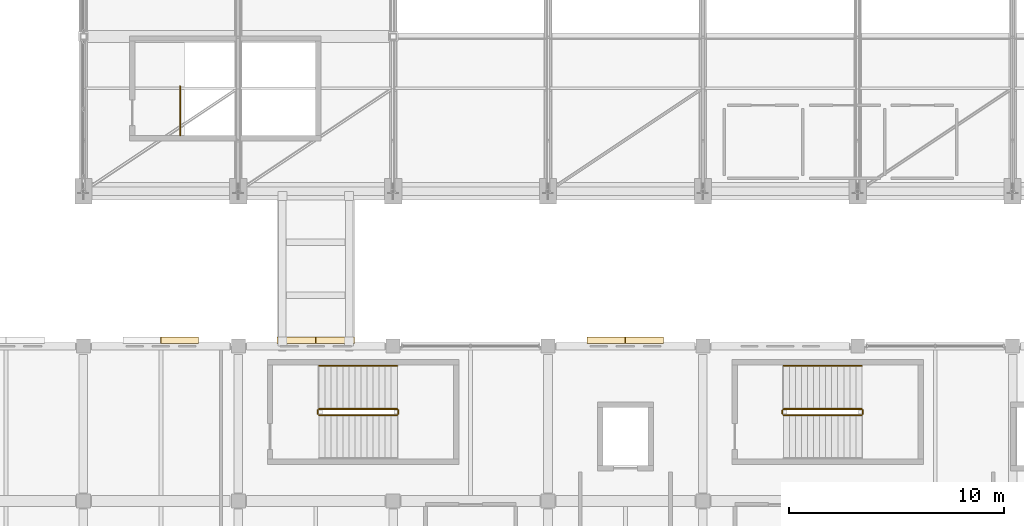
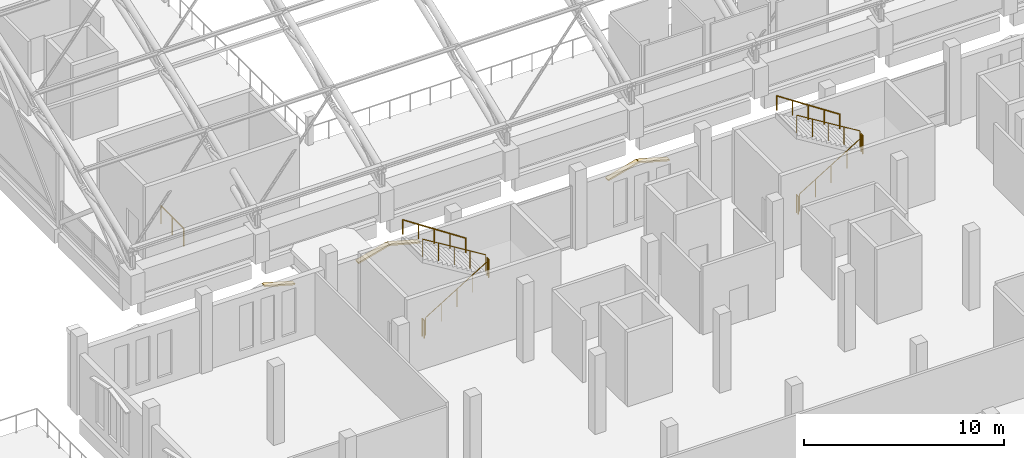
# One storey, part 112 of 116: 11 railings, 5 coverings.
"""IFC4 building model written with IfcOpenShell, lengths in metres."""

from ifc_helpers import new_model, si_unit, direction, frame, origin, origin_2d, place, context, subcontext, project, spatial, polyline, circle, outline, extrude, material, layer, layer_set, type_object, element, save


model = new_model("IFC4")

# Units and contexts
model_context = context("Model", 3, precision=1e-05, world=origin(), true_north=direction((0.0, 1.0)))
body_context = subcontext(model_context, "Body", "Model", "MODEL_VIEW")
ifc_project = project(units=[si_unit("LENGTHUNIT", "METRE"), si_unit("AREAUNIT", "SQUARE_METRE"), si_unit("VOLUMEUNIT", "CUBIC_METRE"), si_unit("PLANEANGLEUNIT", "RADIAN"), si_unit("MASSUNIT", "GRAM", prefix="KILO")], contexts=[model_context])

# Site, building, storey
site_placement = place(None, origin())
site = spatial("IfcSite", under=ifc_project, at=site_placement, CompositionType="ELEMENT")
building_placement = place(site_placement, origin())
building = spatial("IfcBuilding", under=site, at=building_placement, Name="Cendralis Lancet Convention Centre", CompositionType="ELEMENT")
storey_placement = place(building_placement, frame((0.0, 0.0, 15.0)))
storey = spatial("IfcBuildingStorey", under=building, at=storey_placement, Name="L03", CompositionType="ELEMENT", Elevation=15.0)

# Coverings
ifc_material_1 = material(Name="Warm buff sandstone chevron cassette", Category="masonry")
ifc_layer = layer(ifc_material_1, 0.06005859375, Name="Warm buff sandstone chevron cassette")
ifc_layer_set = layer_set([ifc_layer], Name="Warm buff sandstone chevron cassette")
covering_type = type_object("IfcCoveringType", Name="ARC-CV-CLAD1", PredefinedType="CLADDING", material=ifc_layer_set)
covering_1_placement = place(storey_placement, frame((142.81005859375, 36.419921875, 3.7548828125), z_axis=(0.267005870064, 0.0, 0.963694902628), x_axis=(0.0, -1.0, 0.0)))
element("IfcCovering", 1, at=covering_1_placement, inside=storey, type_object=covering_type, Name="L03 Gothic Pointed Lancet Hood-Mould #0378R", PredefinedType="CLADDING", context=body_context, shape_type="SweptSolid", body=[
    extrude(outline(polyline([(0.0, 0.0), (0.284912109375, 0.0), (0.284912109375, 1.8159274218714019), (0.0, 1.8159274218714019), (0.0, 0.0)])), origin(), (0.0, 0.0, -1.0), 0.090087890625),
])
for number, where, z_axis, x_axis, name in (
    (2, (148.199951171875, 36.419921875, 3.27001953125), (-0.261446137658, 0.0, 0.965218067125), (0.0, -1.0, 0.0), "L03 Gothic Pointed Lancet Hood-Mould #0379L"),
    (3, (150.010009765625, 36.419921875, 3.7548828125), (0.261446137658, 0.0, 0.965218067125), (0.0, -1.0, 0.0), "L03 Gothic Pointed Lancet Hood-Mould #0380R"),
):
    element("IfcCovering", number, at=place(storey_placement, frame(where, z_axis=z_axis, x_axis=x_axis)), inside=storey, type_object=covering_type, Name=name, PredefinedType="CLADDING", context=body_context, shape_type="SweptSolid", body=[
        extrude(outline(polyline([(0.0, 0.0), (0.284912109375, 0.0), (0.284912109375, 1.854543676158746), (0.0, 1.854543676158746), (0.0, 0.0)])), origin(), (0.0, 0.0, -1.0), 0.090087890625),
    ])
covering_2_placement = place(storey_placement, frame((162.6201171875, 36.419921875, 3.27001953125), z_axis=(-0.264231756452, 0.0, 0.964459215769), x_axis=(0.0, -1.0, 0.0)))
element("IfcCovering", 4, at=covering_2_placement, inside=storey, type_object=covering_type, Name="L03 Gothic Pointed Lancet Hood-Mould #0381L", PredefinedType="CLADDING", context=body_context, shape_type="SweptSolid", body=[
    extrude(outline(polyline([(0.0, 0.0), (0.284912109375, 0.0), (0.284912109375, 1.8349924617737228), (0.0, 1.8349924617737228), (0.0, 0.0)])), origin(), (0.0, 0.0, -1.0), 0.090087890625),
])
covering_3_placement = place(storey_placement, frame((164.409912109375, 36.419921875, 3.7548828125), z_axis=(0.264197854788, 0.0, 0.964468503128), x_axis=(0.0, -1.0, 0.0)))
element("IfcCovering", 5, at=covering_3_placement, inside=storey, type_object=covering_type, Name="L03 Gothic Pointed Lancet Hood-Mould #0382R", PredefinedType="CLADDING", context=body_context, shape_type="SweptSolid", body=[
    extrude(outline(polyline([(0.0, 0.0), (0.284912109375, 0.0), (0.284912109375, 1.8352279265832314), (0.0, 1.8352279265832314), (0.0, 0.0)])), origin(), (0.0, 0.0, -1.0), 0.090087890625),
])

# Railings
ifc_material_2 = material(Name="Steel S355", Category="steel")
railing_type_1 = type_object("IfcRailingType", Name="ARC-RL-CGD", PredefinedType="GUARDRAIL", material=ifc_material_2)
railing_1_placement = place(storey_placement, frame((143.699951171875, 45.800048828125, 0.0)))
element("IfcRailing", 6, at=railing_1_placement, inside=storey, type_object=railing_type_1, Name="L03 ST-08 top well guard 1", PredefinedType="GUARDRAIL", context=body_context, shape_type="SweptSolid", body=[
    extrude(circle(Radius=0.02392578125, at=origin_2d()), frame((0.0, 0.0, 1.076171875), z_axis=(0.0, 1.0, 0.0), x_axis=(-1.0, 0.0, 0.0)), (0.0, 0.0, 1.0), 2.280029296875),
    extrude(circle(Radius=0.02099609375, at=origin_2d()), origin(), (0.0, 0.0, 1.0), 1.052001953125),
    extrude(circle(Radius=0.02099609375, at=origin_2d()), frame((0.0, 1.14013671875, 0.0)), (0.0, 0.0, 1.0), 1.052001953125),
    extrude(circle(Radius=0.02099609375, at=origin_2d()), frame((0.0, 2.280029296875, 0.0)), (0.0, 0.0, 1.0), 1.052001953125),
])
railing_2_placement = place(storey_placement, frame((150.14990234375, 32.800048828125, 0.17138671875)))
element("IfcRailing", 7, at=railing_2_placement, inside=storey, type_object=railing_type_1, Name="L03 ST-13 stair guard 1", PredefinedType="GUARDRAIL", context=body_context, shape_type="SweptSolid", body=[
    extrude(circle(Radius=0.02392578125, at=origin_2d()), frame((0.0, 0.0, 1.076171875), z_axis=(0.852865859571, 0.0, 0.52213008492), x_axis=(0.0, 1.0, 0.0)), (0.0, 0.0, 1.0), 4.26806640625),
    extrude(circle(Radius=0.02099609375, at=origin_2d()), origin(), (0.0, 0.0, 1.0), 1.052001953125),
    extrude(circle(Radius=0.02099609375, at=origin_2d()), frame((0.91015625, 0.0, 0.55712890625)), (0.0, 0.0, 1.0), 1.052001953125),
    extrude(circle(Radius=0.02099609375, at=origin_2d()), frame((1.820068359375, 0.0, 1.1142578125)), (0.0, 0.0, 1.0), 1.052001953125),
    extrude(circle(Radius=0.02099609375, at=origin_2d()), frame((2.72998046875, 0.0, 1.67138671875)), (0.0, 0.0, 1.0), 1.052001953125),
    extrude(circle(Radius=0.02099609375, at=origin_2d()), frame((3.64013671875, 0.0, 2.228515625)), (0.0, 0.0, 1.0), 1.052001953125),
])
railing_3_placement = place(storey_placement, frame((153.840087890625, 32.85009765625, 2.39990234375)))
element("IfcRailing", 8, at=railing_3_placement, inside=storey, type_object=railing_type_1, Name="L03 ST-13 stair guard 2", PredefinedType="GUARDRAIL", context=body_context, shape_type="SweptSolid", body=[
    extrude(circle(Radius=0.02392578125, at=origin_2d()), frame((0.0, 0.0, 1.076171875), z_axis=(0.0, 1.0, 0.0), x_axis=(-1.0, 0.0, 0.0)), (0.0, 0.0, 1.0), 0.179931640625),
    extrude(circle(Radius=0.02099609375, at=origin_2d()), origin(), (0.0, 0.0, 1.0), 1.052001953125),
    extrude(circle(Radius=0.02099609375, at=origin_2d()), frame((0.0, 0.179931640625, 0.0)), (0.0, 0.0, 1.0), 1.052001953125),
])
railing_4_placement = place(storey_placement, frame((153.7900390625, 33.080078125, 2.571533203125)))
element("IfcRailing", 9, at=railing_4_placement, inside=storey, type_object=railing_type_1, Name="L03 ST-13 stair guard 3", PredefinedType="GUARDRAIL", context=body_context, shape_type="SweptSolid", body=[
    extrude(circle(Radius=0.02392578125, at=origin_2d()), frame((0.0, 0.0, 1.076171875), z_axis=(-0.852865859571, 0.0, 0.52213008492), x_axis=(0.0, -1.0, 0.0)), (0.0, 0.0, 1.0), 4.26806640625),
    extrude(circle(Radius=0.02099609375, at=origin_2d()), origin(), (0.0, 0.0, 1.0), 1.052001953125),
    extrude(circle(Radius=0.02099609375, at=origin_2d()), frame((-0.91015625, 0.0, 0.55712890625)), (0.0, 0.0, 1.0), 1.052001953125),
    extrude(circle(Radius=0.02099609375, at=origin_2d()), frame((-1.820068359375, 0.0, 1.1142578125)), (0.0, 0.0, 1.0), 1.052001953125),
    extrude(circle(Radius=0.02099609375, at=origin_2d()), frame((-2.72998046875, 0.0, 1.67138671875)), (0.0, 0.0, 1.0), 1.052001953125),
    extrude(circle(Radius=0.02099609375, at=origin_2d()), frame((-3.64013671875, 0.0, 2.228515625)), (0.0, 0.0, 1.0), 1.052001953125),
])
railing_5_placement = place(storey_placement, frame((150.10009765625, 32.85009765625, 0.0)))
element("IfcRailing", 10, at=railing_5_placement, inside=storey, type_object=railing_type_1, Name="L03 ST-13 stair guard 4", PredefinedType="GUARDRAIL", context=body_context, shape_type="SweptSolid", body=[
    extrude(circle(Radius=0.02392578125, at=origin_2d()), frame((0.0, 0.0, 1.076171875), z_axis=(0.0, 1.0, 0.0), x_axis=(-1.0, 0.0, 0.0)), (0.0, 0.0, 1.0), 0.179931640625),
    extrude(circle(Radius=0.02099609375, at=origin_2d()), origin(), (0.0, 0.0, 1.0), 1.052001953125),
    extrude(circle(Radius=0.02099609375, at=origin_2d()), frame((0.0, 0.179931640625, 0.0)), (0.0, 0.0, 1.0), 1.052001953125),
])
railing_6_placement = place(storey_placement, frame((171.75, 32.800048828125, 0.17138671875)))
element("IfcRailing", 11, at=railing_6_placement, inside=storey, type_object=railing_type_1, Name="L03 ST-14 stair guard 1", PredefinedType="GUARDRAIL", context=body_context, shape_type="SweptSolid", body=[
    extrude(circle(Radius=0.02392578125, at=origin_2d()), frame((0.0, 0.0, 1.076171875), z_axis=(0.852850264322, 0.0, 0.5221555579), x_axis=(0.0, 1.0, 0.0)), (0.0, 0.0, 1.0), 4.267822265625),
    extrude(circle(Radius=0.02099609375, at=origin_2d()), origin(), (0.0, 0.0, 1.0), 1.052001953125),
    extrude(circle(Radius=0.02099609375, at=origin_2d()), frame((0.909912109375, 0.0, 0.55712890625)), (0.0, 0.0, 1.0), 1.052001953125),
    extrude(circle(Radius=0.02099609375, at=origin_2d()), frame((1.81982421875, 0.0, 1.1142578125)), (0.0, 0.0, 1.0), 1.052001953125),
    extrude(circle(Radius=0.02099609375, at=origin_2d()), frame((2.72998046875, 0.0, 1.67138671875)), (0.0, 0.0, 1.0), 1.052001953125),
    extrude(circle(Radius=0.02099609375, at=origin_2d()), frame((3.639892578125, 0.0, 2.228515625)), (0.0, 0.0, 1.0), 1.052001953125),
])
railing_7_placement = place(storey_placement, frame((175.43994140625, 32.85009765625, 2.39990234375)))
element("IfcRailing", 12, at=railing_7_placement, inside=storey, type_object=railing_type_1, Name="L03 ST-14 stair guard 2", PredefinedType="GUARDRAIL", context=body_context, shape_type="SweptSolid", body=[
    extrude(circle(Radius=0.02392578125, at=origin_2d()), frame((0.0, 0.0, 1.076171875), z_axis=(0.0, 1.0, 0.0), x_axis=(-1.0, 0.0, 0.0)), (0.0, 0.0, 1.0), 0.179931640625),
    extrude(circle(Radius=0.02099609375, at=origin_2d()), origin(), (0.0, 0.0, 1.0), 1.052001953125),
    extrude(circle(Radius=0.02099609375, at=origin_2d()), frame((0.0, 0.179931640625, 0.0)), (0.0, 0.0, 1.0), 1.052001953125),
])
railing_8_placement = place(storey_placement, frame((175.389892578125, 33.080078125, 2.571533203125)))
element("IfcRailing", 13, at=railing_8_placement, inside=storey, type_object=railing_type_1, Name="L03 ST-14 stair guard 3", PredefinedType="GUARDRAIL", context=body_context, shape_type="SweptSolid", body=[
    extrude(circle(Radius=0.02392578125, at=origin_2d()), frame((0.0, 0.0, 1.076171875), z_axis=(-0.852850264322, 0.0, 0.5221555579), x_axis=(0.0, -1.0, 0.0)), (0.0, 0.0, 1.0), 4.267822265625),
    extrude(circle(Radius=0.02099609375, at=origin_2d()), origin(), (0.0, 0.0, 1.0), 1.052001953125),
    extrude(circle(Radius=0.02099609375, at=origin_2d()), frame((-0.909912109375, 0.0, 0.55712890625)), (0.0, 0.0, 1.0), 1.052001953125),
    extrude(circle(Radius=0.02099609375, at=origin_2d()), frame((-1.81982421875, 0.0, 1.1142578125)), (0.0, 0.0, 1.0), 1.052001953125),
    extrude(circle(Radius=0.02099609375, at=origin_2d()), frame((-2.72998046875, 0.0, 1.67138671875)), (0.0, 0.0, 1.0), 1.052001953125),
    extrude(circle(Radius=0.02099609375, at=origin_2d()), frame((-3.639892578125, 0.0, 2.228515625)), (0.0, 0.0, 1.0), 1.052001953125),
])
railing_9_placement = place(storey_placement, frame((171.699951171875, 32.85009765625, 0.0)))
element("IfcRailing", 14, at=railing_9_placement, inside=storey, type_object=railing_type_1, Name="L03 ST-14 stair guard 4", PredefinedType="GUARDRAIL", context=body_context, shape_type="SweptSolid", body=[
    extrude(circle(Radius=0.02392578125, at=origin_2d()), frame((0.0, 0.0, 1.076171875), z_axis=(0.0, 1.0, 0.0), x_axis=(-1.0, 0.0, 0.0)), (0.0, 0.0, 1.0), 0.179931640625),
    extrude(circle(Radius=0.02099609375, at=origin_2d()), origin(), (0.0, 0.0, 1.0), 1.052001953125),
    extrude(circle(Radius=0.02099609375, at=origin_2d()), frame((0.0, 0.179931640625, 0.0)), (0.0, 0.0, 1.0), 1.052001953125),
])
railing_type_2 = type_object("IfcRailingType", Name="ARC-RL-CHR", PredefinedType="HANDRAIL", material=ifc_material_2)
railing_10_placement = place(storey_placement, frame((153.7900390625, 35.080078125, 2.571533203125)))
element("IfcRailing", 15, at=railing_10_placement, inside=storey, type_object=railing_type_2, Name="L03 ST-13 stair handrail 2", PredefinedType="HANDRAIL", context=body_context, shape_type="SweptSolid", body=[
    extrude(circle(Radius=0.02392578125, at=origin_2d()), frame((0.0, 0.0, 0.8759765625), z_axis=(-0.83488217925, 0.0, 0.55042869363), x_axis=(0.0, -1.0, 0.0)), (0.0, 0.0, 1.0), 4.360107421875),
    extrude(circle(Radius=0.02099609375, at=origin_2d()), origin(), (0.0, 0.0, 1.0), 0.851806640625),
    extrude(circle(Radius=0.02099609375, at=origin_2d()), frame((-0.91015625, 0.0, 0.60009765625)), (0.0, 0.0, 1.0), 0.851806640625),
    extrude(circle(Radius=0.02099609375, at=origin_2d()), frame((-1.820068359375, 0.0, 1.199951171875)), (0.0, 0.0, 1.0), 0.851806640625),
    extrude(circle(Radius=0.02099609375, at=origin_2d()), frame((-2.72998046875, 0.0, 1.7998046875)), (0.0, 0.0, 1.0), 0.851806640625),
    extrude(circle(Radius=0.02099609375, at=origin_2d()), frame((-3.64013671875, 0.0, 2.39990234375)), (0.0, 0.0, 1.0), 0.851806640625),
])
railing_11_placement = place(storey_placement, frame((175.389892578125, 35.080078125, 2.571533203125)))
element("IfcRailing", 16, at=railing_11_placement, inside=storey, type_object=railing_type_2, Name="L03 ST-14 stair handrail 2", PredefinedType="HANDRAIL", context=body_context, shape_type="SweptSolid", body=[
    extrude(circle(Radius=0.02392578125, at=origin_2d()), frame((0.0, 0.0, 0.8759765625), z_axis=(-0.834865213223, 0.0, 0.550454426587), x_axis=(0.0, -1.0, 0.0)), (0.0, 0.0, 1.0), 4.35986328125),
    extrude(circle(Radius=0.02099609375, at=origin_2d()), origin(), (0.0, 0.0, 1.0), 0.851806640625),
    extrude(circle(Radius=0.02099609375, at=origin_2d()), frame((-0.909912109375, 0.0, 0.60009765625)), (0.0, 0.0, 1.0), 0.851806640625),
    extrude(circle(Radius=0.02099609375, at=origin_2d()), frame((-1.81982421875, 0.0, 1.199951171875)), (0.0, 0.0, 1.0), 0.851806640625),
    extrude(circle(Radius=0.02099609375, at=origin_2d()), frame((-2.72998046875, 0.0, 1.7998046875)), (0.0, 0.0, 1.0), 0.851806640625),
    extrude(circle(Radius=0.02099609375, at=origin_2d()), frame((-3.639892578125, 0.0, 2.39990234375)), (0.0, 0.0, 1.0), 0.851806640625),
])

save(model, "model.ifc")
